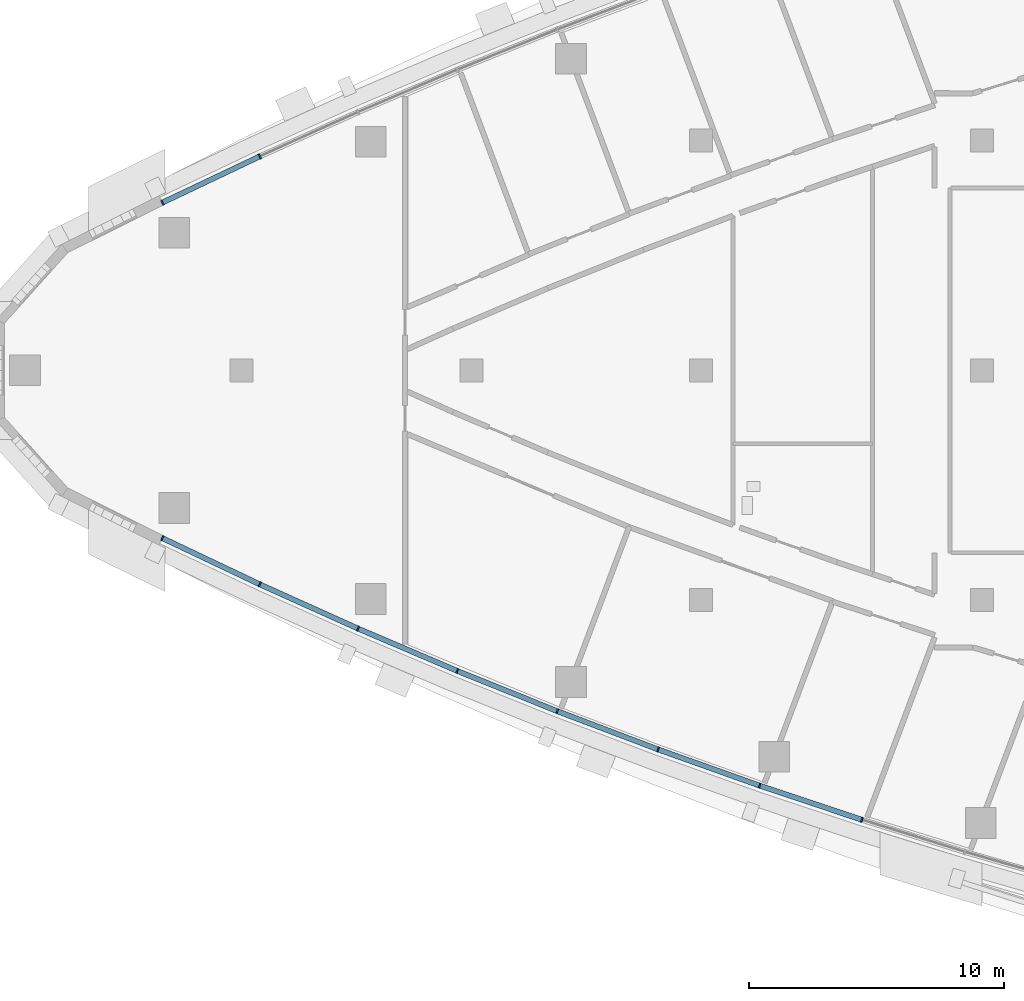
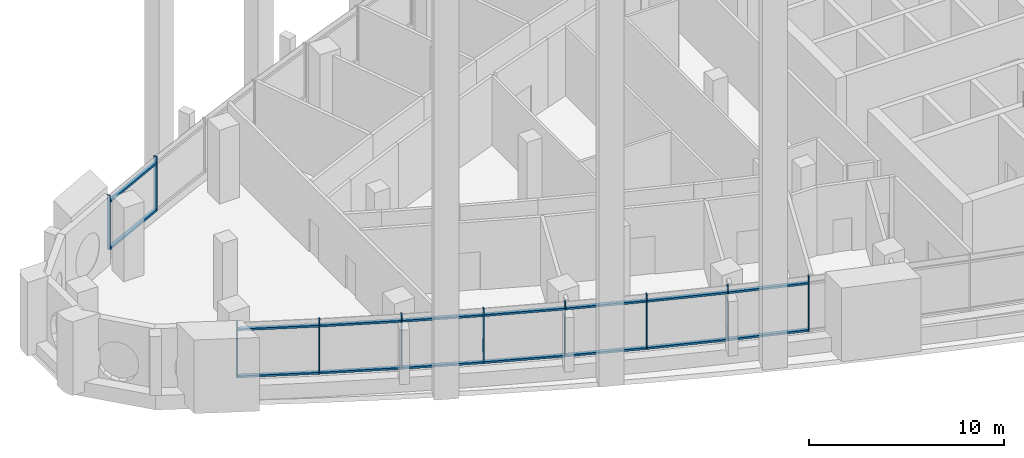
# One storey, part 2 of 15: 26 members, 5 elements without a shape of their own.
"""IFC4 building model written with IfcOpenShell, lengths in metres."""

from ifc_helpers import new_model, si_unit, direction, frame, origin, origin_2d, place, context, subcontext, project, spatial, rectangle, extrude, material, layer, layer_set, material_profile, profile_set, type_object, element, aggregate, save


model = new_model("IFC4")

# Units and contexts
model_context = context("Model", 3, precision=1e-05, world=origin(), true_north=direction((0.0, 1.0)))
body_context = subcontext(model_context, "Body", "Model", "MODEL_VIEW")
ifc_project = project(units=[si_unit("LENGTHUNIT", "METRE"), si_unit("AREAUNIT", "SQUARE_METRE"), si_unit("VOLUMEUNIT", "CUBIC_METRE"), si_unit("PLANEANGLEUNIT", "RADIAN"), si_unit("MASSUNIT", "GRAM", prefix="KILO")], contexts=[model_context])

# Site, building, storey
site_placement = place(None, origin())
site = spatial("IfcSite", under=ifc_project, at=site_placement, CompositionType="ELEMENT")
building_placement = place(site_placement, origin())
building = spatial("IfcBuilding", under=site, at=building_placement, Name="Ostrand Prow Hotel Tower", CompositionType="ELEMENT")
storey_placement = place(building_placement, frame((0.0, 0.0, 216.199951171875)))
storey = spatial("IfcBuildingStorey", under=building, at=storey_placement, Name="L54", CompositionType="ELEMENT", Elevation=216.199951171875)

# Curtain wall, members
ifc_material_1 = material(Name="Insulated glass in bronze anodised frame", Category="glass")
ifc_layer = layer(ifc_material_1, 0.199951171875)
ifc_layer_set = layer_set([ifc_layer], Name="Insulated glass in bronze anodised frame")
curtain_wall_type = type_object("IfcCurtainWallType", Name="Sky lobby full-height curtain wall", PredefinedType="NOTDEFINED", material=ifc_layer_set)
curtain_wall_1_placement = place(storey_placement, origin())
curtain_wall_1 = element("IfcCurtainWall", 1, at=curtain_wall_1_placement, inside=storey, type_object=curtain_wall_type, Name="CW3 run CWS1", PredefinedType="NOTDEFINED")
ifc_material_2 = material(Name="Bronze anodised aluminium", Category="aluminium")
ifc_material_profile_1 = material_profile(ifc_material_2, rectangle(XDim=0.199951171875, YDim=0.06005859375, at=origin_2d()), Name="Mullion 60x200 bronze anodised aluminium")
ifc_profile_set_1 = profile_set([ifc_material_profile_1], Name="Bronze anodised aluminium")
member_type_1 = type_object("IfcMemberType", Name="Mullion 60x200 bronze anodised aluminium", PredefinedType="MULLION", material=ifc_profile_set_1)
member_1_placement = place(storey_placement, frame((12.893310546875, -6.57080078125, 0.900146484375), z_axis=(0.0, 0.0, 1.0), x_axis=(0.428861030937, 0.903370475577, 0.0)))
member_1 = element("IfcMember", 2, at=member_1_placement, type_object=member_type_1, Name="CW3 mullion 1", PredefinedType="MULLION", context=body_context, shape_type="SweptSolid", body=[
    extrude(rectangle(XDim=0.199951171875, YDim=0.06005859375, at=origin_2d()), origin(), (0.0, 0.0, 1.0), 3.39990234375),
])
member_2_placement = place(storey_placement, frame((16.708740234375, -8.382080078125, 0.900146484375), z_axis=(0.0, 0.0, 1.0), x_axis=(0.41058199404, 0.911823681514, 0.0)))
member_2 = element("IfcMember", 3, at=member_2_placement, type_object=member_type_1, Name="CW3 mullion 2", PredefinedType="MULLION", context=body_context, shape_type="SweptSolid", body=[
    extrude(rectangle(XDim=0.199951171875, YDim=0.06005859375, at=origin_2d()), origin(), (0.0, 0.0, 1.0), 3.39990234375),
])
member_3_placement = place(storey_placement, frame((20.56005859375, -10.116455078125, 0.900146484375), z_axis=(0.0, 0.0, 1.0), x_axis=(0.41058199404, 0.911823681514, 0.0)))
member_3 = element("IfcMember", 4, at=member_3_placement, type_object=member_type_1, Name="CW3 mullion 3", PredefinedType="MULLION", context=body_context, shape_type="SweptSolid", body=[
    extrude(rectangle(XDim=0.199951171875, YDim=0.06005859375, at=origin_2d()), origin(), (0.0, 0.0, 1.0), 3.39990234375),
])

curtain_wall_2_placement = place(storey_placement, origin())
curtain_wall_2 = element("IfcCurtainWall", 5, at=curtain_wall_2_placement, inside=storey, type_object=curtain_wall_type, Name="CW3 run CWS2", PredefinedType="NOTDEFINED")
member_4_placement = place(storey_placement, frame((24.445556640625, -11.772705078125, 0.900146484375), z_axis=(0.0, 0.0, 1.0), x_axis=(0.373533449004, 0.927616710972, 0.0)))
member_4 = element("IfcMember", 6, at=member_4_placement, type_object=member_type_1, Name="CW3 mullion 2", PredefinedType="MULLION", context=body_context, shape_type="SweptSolid", body=[
    extrude(rectangle(XDim=0.199951171875, YDim=0.06005859375, at=origin_2d()), origin(), (0.0, 0.0, 1.0), 3.39990234375),
])
member_5_placement = place(storey_placement, frame((28.363525390625, -13.350341796875, 0.900146484375), z_axis=(0.0, 0.0, 1.0), x_axis=(0.373533449004, 0.927616710972, 0.0)))
member_5 = element("IfcMember", 7, at=member_5_placement, type_object=member_type_1, Name="CW3 mullion 3", PredefinedType="MULLION", context=body_context, shape_type="SweptSolid", body=[
    extrude(rectangle(XDim=0.199951171875, YDim=0.06005859375, at=origin_2d()), origin(), (0.0, 0.0, 1.0), 3.39990234375),
])

curtain_wall_3_placement = place(storey_placement, origin())
curtain_wall_3 = element("IfcCurtainWall", 8, at=curtain_wall_3_placement, inside=storey, type_object=curtain_wall_type, Name="CW3 run CWS3", PredefinedType="NOTDEFINED")
member_6_placement = place(storey_placement, frame((32.3125, -14.848876953125, 0.900146484375), z_axis=(0.0, 0.0, 1.0), x_axis=(0.335877383374, 0.941905718922, 0.0)))
member_6 = element("IfcMember", 9, at=member_6_placement, type_object=member_type_1, Name="CW3 mullion 2", PredefinedType="MULLION", context=body_context, shape_type="SweptSolid", body=[
    extrude(rectangle(XDim=0.199951171875, YDim=0.06005859375, at=origin_2d()), origin(), (0.0, 0.0, 1.0), 3.39990234375),
])
member_7_placement = place(storey_placement, frame((36.291015625, -16.267578125, 0.900146484375), z_axis=(0.0, 0.0, 1.0), x_axis=(0.335877383374, 0.941905718922, 0.0)))
member_7 = element("IfcMember", 10, at=member_7_placement, type_object=member_type_1, Name="CW3 mullion 3", PredefinedType="MULLION", context=body_context, shape_type="SweptSolid", body=[
    extrude(rectangle(XDim=0.199951171875, YDim=0.06005859375, at=origin_2d()), origin(), (0.0, 0.0, 1.0), 3.39990234375),
])

# Curtain wall, member
curtain_wall_4_placement = place(storey_placement, origin())
curtain_wall_4 = element("IfcCurtainWall", 11, at=curtain_wall_4_placement, inside=storey, type_object=curtain_wall_type, Name="CW3 run CWS4", PredefinedType="NOTDEFINED")
member_8_placement = place(storey_placement, frame((40.297119140625, -17.605712890625, 0.900146484375), z_axis=(0.0, 0.0, 1.0), x_axis=(0.297678138765, 0.95466629023, 0.0)))
member_8 = element("IfcMember", 12, at=member_8_placement, type_object=member_type_1, Name="CW3 mullion 2", PredefinedType="MULLION", context=body_context, shape_type="SweptSolid", body=[
    extrude(rectangle(XDim=0.199951171875, YDim=0.06005859375, at=origin_2d()), origin(), (0.0, 0.0, 1.0), 3.39990234375),
])

# Curtain wall, members
curtain_wall_5_placement = place(storey_placement, origin())
curtain_wall_5 = element("IfcCurtainWall", 13, at=curtain_wall_5_placement, inside=storey, type_object=curtain_wall_type, Name="CW3 run CWN5", PredefinedType="NOTDEFINED")
member_9_placement = place(storey_placement, frame((16.708740234375, 8.382080078125, 0.900146484375), z_axis=(0.0, 0.0, 1.0), x_axis=(0.428861030937, -0.903370475577, 0.0)))
member_9 = element("IfcMember", 14, at=member_9_placement, type_object=member_type_1, Name="CW3 mullion 2", PredefinedType="MULLION", context=body_context, shape_type="SweptSolid", body=[
    extrude(rectangle(XDim=0.199951171875, YDim=0.06005859375, at=origin_2d()), origin(), (0.0, 0.0, 1.0), 3.39990234375),
])
member_10_placement = place(storey_placement, frame((12.893310546875, 6.57080078125, 0.900146484375), z_axis=(0.0, 0.0, 1.0), x_axis=(0.428861030937, -0.903370475577, 0.0)))
member_10 = element("IfcMember", 15, at=member_10_placement, type_object=member_type_1, Name="CW3 mullion 3", PredefinedType="MULLION", context=body_context, shape_type="SweptSolid", body=[
    extrude(rectangle(XDim=0.199951171875, YDim=0.06005859375, at=origin_2d()), origin(), (0.0, 0.0, 1.0), 3.39990234375),
])

# Member
ifc_material_3 = material(Name="Bronze anodised aluminium", Category="aluminium")
ifc_material_profile_2 = material_profile(ifc_material_3, rectangle(XDim=0.199951171875, YDim=0.1201171875, at=origin_2d()), Name="Transom 120x200 bronze anodised aluminium")
ifc_profile_set_2 = profile_set([ifc_material_profile_2], Name="Bronze anodised aluminium")
member_type_2 = type_object("IfcMemberType", Name="Transom 120x200 bronze anodised aluminium", PredefinedType="USERDEFINED", material=ifc_profile_set_2)
member_11_placement = place(storey_placement, frame((12.92041015625, -6.583740234375, 0.9599609375), z_axis=(0.903364977925, -0.428872611226, 0.0), x_axis=(0.428872611226, 0.903364977925, 0.0)))
member_11 = element("IfcMember", 16, at=member_11_placement, type_object=member_type_2, Name="CW3 transom 1.1", ObjectType="TRANSOM", PredefinedType="USERDEFINED", context=body_context, shape_type="SweptSolid", body=[
    extrude(rectangle(XDim=0.199951171875, YDim=0.1201171875, at=origin_2d()), origin(), (0.0, 0.0, 1.0), 4.16357421875),
])

member_12_placement = place(storey_placement, frame((12.92041015625, -6.583740234375, 3.900146484375), z_axis=(0.903364977925, -0.428872611226, 0.0), x_axis=(0.428872611226, 0.903364977925, 0.0)))
member_12 = element("IfcMember", 17, at=member_12_placement, type_object=member_type_2, Name="CW3 transom 1.2", ObjectType="TRANSOM", PredefinedType="USERDEFINED", context=body_context, shape_type="SweptSolid", body=[
    extrude(rectangle(XDim=0.199951171875, YDim=0.1201171875, at=origin_2d()), origin(), (0.0, 0.0, 1.0), 4.16357421875),
])

member_13_placement = place(storey_placement, frame((16.736083984375, -8.39453125, 0.9599609375), z_axis=(0.911832617051, -0.410562149353, 0.0), x_axis=(0.410562149353, 0.911832617051, 0.0)))
member_13 = element("IfcMember", 18, at=member_13_placement, type_object=member_type_2, Name="CW3 transom 2.1", ObjectType="TRANSOM", PredefinedType="USERDEFINED", context=body_context, shape_type="SweptSolid", body=[
    extrude(rectangle(XDim=0.199951171875, YDim=0.1201171875, at=origin_2d()), origin(), (0.0, 0.0, 1.0), 4.163818359375),
])

member_14_placement = place(storey_placement, frame((16.736083984375, -8.39453125, 3.900146484375), z_axis=(0.911832617051, -0.410562149353, 0.0), x_axis=(0.410562149353, 0.911832617051, 0.0)))
member_14 = element("IfcMember", 19, at=member_14_placement, type_object=member_type_2, Name="CW3 transom 2.2", ObjectType="TRANSOM", PredefinedType="USERDEFINED", context=body_context, shape_type="SweptSolid", body=[
    extrude(rectangle(XDim=0.199951171875, YDim=0.1201171875, at=origin_2d()), origin(), (0.0, 0.0, 1.0), 4.163818359375),
])

aggregate(curtain_wall_1, [member_1, member_2, member_3, member_11, member_12, member_13, member_14])

member_15_placement = place(storey_placement, frame((20.587646484375, -10.128173828125, 0.9599609375), z_axis=(0.919904541337, -0.392142365509, 0.0), x_axis=(0.392142365509, 0.919904541337, 0.0)))
member_15 = element("IfcMember", 20, at=member_15_placement, type_object=member_type_2, Name="CW3 transom 1.1", ObjectType="TRANSOM", PredefinedType="USERDEFINED", context=body_context, shape_type="SweptSolid", body=[
    extrude(rectangle(XDim=0.199951171875, YDim=0.1201171875, at=origin_2d()), origin(), (0.0, 0.0, 1.0), 4.163818359375),
])

member_16_placement = place(storey_placement, frame((20.587646484375, -10.128173828125, 3.900146484375), z_axis=(0.919904541337, -0.392142365509, 0.0), x_axis=(0.392142365509, 0.919904541337, 0.0)))
member_16 = element("IfcMember", 21, at=member_16_placement, type_object=member_type_2, Name="CW3 transom 1.2", ObjectType="TRANSOM", PredefinedType="USERDEFINED", context=body_context, shape_type="SweptSolid", body=[
    extrude(rectangle(XDim=0.199951171875, YDim=0.1201171875, at=origin_2d()), origin(), (0.0, 0.0, 1.0), 4.163818359375),
])

member_17_placement = place(storey_placement, frame((24.473388671875, -11.783935546875, 0.9599609375), z_axis=(0.927625049372, -0.373512741119, 0.0), x_axis=(0.373512741119, 0.927625049372, 0.0)))
member_17 = element("IfcMember", 22, at=member_17_placement, type_object=member_type_2, Name="CW3 transom 2.1", ObjectType="TRANSOM", PredefinedType="USERDEFINED", context=body_context, shape_type="SweptSolid", body=[
    extrude(rectangle(XDim=0.199951171875, YDim=0.1201171875, at=origin_2d()), origin(), (0.0, 0.0, 1.0), 4.16357421875),
])

member_18_placement = place(storey_placement, frame((24.473388671875, -11.783935546875, 3.900146484375), z_axis=(0.927625049372, -0.373512741119, 0.0), x_axis=(0.373512741119, 0.927625049372, 0.0)))
member_18 = element("IfcMember", 23, at=member_18_placement, type_object=member_type_2, Name="CW3 transom 2.2", ObjectType="TRANSOM", PredefinedType="USERDEFINED", context=body_context, shape_type="SweptSolid", body=[
    extrude(rectangle(XDim=0.199951171875, YDim=0.1201171875, at=origin_2d()), origin(), (0.0, 0.0, 1.0), 4.16357421875),
])

aggregate(curtain_wall_2, [member_4, member_5, member_15, member_16, member_17, member_18])

member_19_placement = place(storey_placement, frame((28.3916015625, -13.361083984375, 0.9599609375), z_axis=(0.934960644813, -0.354751451936, 0.0), x_axis=(0.354751451936, 0.934960644813, 0.0)))
member_19 = element("IfcMember", 24, at=member_19_placement, type_object=member_type_2, Name="CW3 transom 1.1", ObjectType="TRANSOM", PredefinedType="USERDEFINED", context=body_context, shape_type="SweptSolid", body=[
    extrude(rectangle(XDim=0.199951171875, YDim=0.1201171875, at=origin_2d()), origin(), (0.0, 0.0, 1.0), 4.16357421875),
])

member_20_placement = place(storey_placement, frame((28.3916015625, -13.361083984375, 3.900146484375), z_axis=(0.934960644813, -0.354751451936, 0.0), x_axis=(0.354751451936, 0.934960644813, 0.0)))
member_20 = element("IfcMember", 25, at=member_20_placement, type_object=member_type_2, Name="CW3 transom 1.2", ObjectType="TRANSOM", PredefinedType="USERDEFINED", context=body_context, shape_type="SweptSolid", body=[
    extrude(rectangle(XDim=0.199951171875, YDim=0.1201171875, at=origin_2d()), origin(), (0.0, 0.0, 1.0), 4.16357421875),
])

member_21_placement = place(storey_placement, frame((32.3408203125, -14.85888671875, 0.9599609375), z_axis=(0.941911594104, -0.335860907061, 0.0), x_axis=(0.335860907061, 0.941911594104, 0.0)))
member_21 = element("IfcMember", 26, at=member_21_placement, type_object=member_type_2, Name="CW3 transom 2.1", ObjectType="TRANSOM", PredefinedType="USERDEFINED", context=body_context, shape_type="SweptSolid", body=[
    extrude(rectangle(XDim=0.199951171875, YDim=0.1201171875, at=origin_2d()), origin(), (0.0, 0.0, 1.0), 4.163818359375),
])

member_22_placement = place(storey_placement, frame((32.3408203125, -14.85888671875, 3.900146484375), z_axis=(0.941911594104, -0.335860907061, 0.0), x_axis=(0.335860907061, 0.941911594104, 0.0)))
member_22 = element("IfcMember", 27, at=member_22_placement, type_object=member_type_2, Name="CW3 transom 2.2", ObjectType="TRANSOM", PredefinedType="USERDEFINED", context=body_context, shape_type="SweptSolid", body=[
    extrude(rectangle(XDim=0.199951171875, YDim=0.1201171875, at=origin_2d()), origin(), (0.0, 0.0, 1.0), 4.163818359375),
])

aggregate(curtain_wall_3, [member_6, member_7, member_19, member_20, member_21, member_22])

member_23_placement = place(storey_placement, frame((36.3193359375, -16.277099609375, 0.9599609375), z_axis=(0.948489622939, -0.316808199353, 0.0), x_axis=(0.316808199353, 0.948489622939, 0.0)))
member_23 = element("IfcMember", 28, at=member_23_placement, type_object=member_type_2, Name="CW3 transom 1.1", ObjectType="TRANSOM", PredefinedType="USERDEFINED", context=body_context, shape_type="SweptSolid", body=[
    extrude(rectangle(XDim=0.199951171875, YDim=0.1201171875, at=origin_2d()), origin(), (0.0, 0.0, 1.0), 4.16357421875),
])

member_24_placement = place(storey_placement, frame((36.3193359375, -16.277099609375, 3.900146484375), z_axis=(0.948489622939, -0.316808199353, 0.0), x_axis=(0.316808199353, 0.948489622939, 0.0)))
member_24 = element("IfcMember", 29, at=member_24_placement, type_object=member_type_2, Name="CW3 transom 1.2", ObjectType="TRANSOM", PredefinedType="USERDEFINED", context=body_context, shape_type="SweptSolid", body=[
    extrude(rectangle(XDim=0.199951171875, YDim=0.1201171875, at=origin_2d()), origin(), (0.0, 0.0, 1.0), 4.16357421875),
])

aggregate(curtain_wall_4, [member_8, member_23, member_24])

member_25_placement = place(storey_placement, frame((16.681640625, 8.369384765625, 0.9599609375), z_axis=(-0.903364977925, -0.428872611226, 0.0), x_axis=(0.428872611226, -0.903364977925, 0.0)))
member_25 = element("IfcMember", 30, at=member_25_placement, type_object=member_type_2, Name="CW3 transom 2.1", ObjectType="TRANSOM", PredefinedType="USERDEFINED", context=body_context, shape_type="SweptSolid", body=[
    extrude(rectangle(XDim=0.199951171875, YDim=0.1201171875, at=origin_2d()), origin(), (0.0, 0.0, 1.0), 4.16357421875),
])

member_26_placement = place(storey_placement, frame((16.681640625, 8.369384765625, 3.900146484375), z_axis=(-0.903364977925, -0.428872611226, 0.0), x_axis=(0.428872611226, -0.903364977925, 0.0)))
member_26 = element("IfcMember", 31, at=member_26_placement, type_object=member_type_2, Name="CW3 transom 2.2", ObjectType="TRANSOM", PredefinedType="USERDEFINED", context=body_context, shape_type="SweptSolid", body=[
    extrude(rectangle(XDim=0.199951171875, YDim=0.1201171875, at=origin_2d()), origin(), (0.0, 0.0, 1.0), 4.16357421875),
])

aggregate(curtain_wall_5, [member_9, member_10, member_25, member_26])

save(model, "model.ifc")
